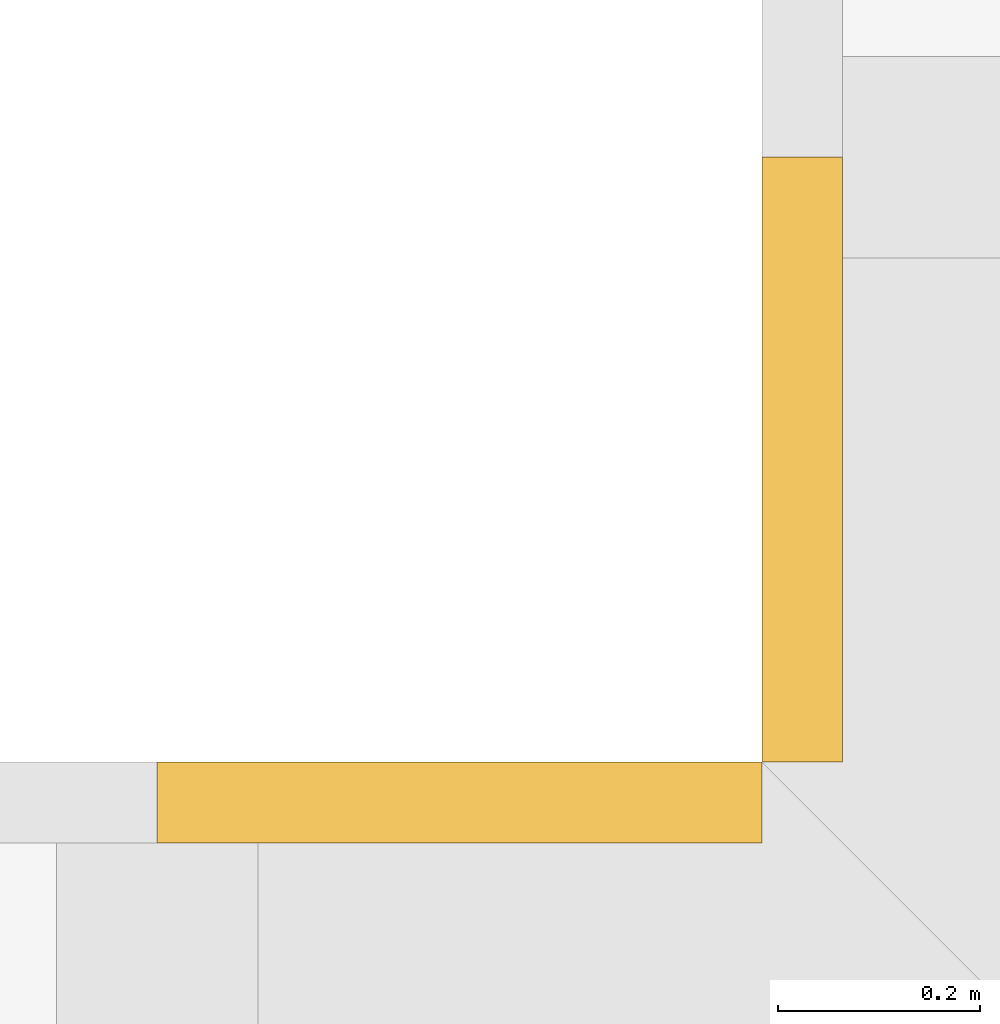
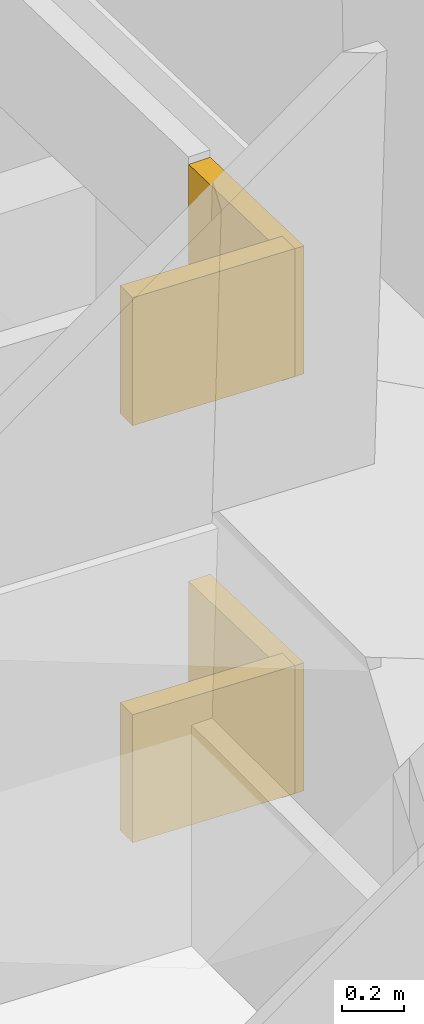
# One storey, part 32 of 33: 4 coverings.
"""IFC4 building model written with IfcOpenShell, lengths in metres."""

from ifc_helpers import new_model, si_unit, direction, frame, origin, place, context, subcontext, project, spatial, polyline, outline, extrude, material, layer, layer_set, type_object, element, save


model = new_model("IFC4")

# Units and contexts
model_context = context("Model", 3, precision=1e-05, world=origin(), true_north=direction((0.0, 1.0)))
body_context = subcontext(model_context, "Body", "Model", "MODEL_VIEW")
ifc_project = project(units=[si_unit("LENGTHUNIT", "METRE"), si_unit("AREAUNIT", "SQUARE_METRE"), si_unit("VOLUMEUNIT", "CUBIC_METRE"), si_unit("PLANEANGLEUNIT", "RADIAN"), si_unit("MASSUNIT", "GRAM", prefix="KILO")], contexts=[model_context])

# Site, building, storey
site_placement = place(None, origin())
site = spatial("IfcSite", under=ifc_project, at=site_placement, CompositionType="ELEMENT")
building_placement = place(site_placement, origin())
building = spatial("IfcBuilding", under=site, at=building_placement, Name="Saffron Gate Tower", CompositionType="ELEMENT")
storey_placement = place(building_placement, frame((0.0, 0.0, 263.550048828125)))
storey = spatial("IfcBuildingStorey", under=building, at=storey_placement, Name="L63", CompositionType="ELEMENT", Elevation=263.550048828125)

# Coverings
ifc_material = material(Name="Timber, thermally modified ash", Category="wood")
ifc_layer = layer(ifc_material, 0.080078125)
ifc_layer_set = layer_set([ifc_layer], Name="LD2 ledge planter trough")
covering_type = type_object("IfcCoveringType", Name="LD2 ledge planter trough", PredefinedType="CLADDING", material=ifc_layer_set)
covering_1_placement = place(storey_placement, frame((50.39990234375, 73.800048828125, 3.4765625), z_axis=(-1.0, 0.0, 0.0), x_axis=(0.0, -0.999583081391, 0.028873229772)))
element("IfcCovering", 1, at=covering_1_placement, inside=storey, type_object=covering_type, Name="LEDGE planter trough", PredefinedType="CLADDING", context=body_context, shape_type="SweptSolid", body=[
    extrude(outline(polyline([(0.0, 0.0), (0.6003479524834376, -3.469446951953614e-18), (0.6147845673692678, 0.4997915406953566), (0.014436614885830073, 0.4997915406953566), (0.0, 0.0)])), origin(), (0.0, 0.0, -1.0), 0.080078125),
])
covering_2_placement = place(storey_placement, frame((50.39990234375, 73.199951171875, 3.559814453125), z_axis=(0.0, 1.0, 0.0), x_axis=(-0.999582742162, 0.0, 0.028884971385)))
element("IfcCovering", 2, at=covering_2_placement, inside=storey, type_object=covering_type, Name="LEDGE planter trough", PredefinedType="CLADDING", context=body_context, shape_type="SweptSolid", body=[
    extrude(outline(polyline([(0.0, 0.0), (0.6001039136866089, 0.0), (0.614546399379222, 0.4997913710809928), (0.014442485692613144, 0.49979137108099286), (0.0, 0.0)])), origin(), (0.0, 0.0, -1.0), 0.080078125),
])
covering_3_placement = place(storey_placement, frame((50.39990234375, 73.800048828125, 1.84765625), z_axis=(-1.0, 0.0, 0.0), x_axis=(0.0, -0.999583081391, 0.028873229772)))
element("IfcCovering", 3, at=covering_3_placement, inside=storey, type_object=covering_type, Name="LEDGE planter trough", PredefinedType="CLADDING", context=body_context, shape_type="SweptSolid", body=[
    extrude(outline(polyline([(0.0, 0.0), (0.6003479524834376, -3.469446951953614e-18), (0.6147845673692678, 0.4997915406953566), (0.014436614885830073, 0.4997915406953566), (0.0, 0.0)])), origin(), (0.0, 0.0, -1.0), 0.080078125),
])
covering_4_placement = place(storey_placement, frame((50.39990234375, 73.199951171875, 1.9306640625), z_axis=(0.0, 1.0, 0.0), x_axis=(-0.999582742162, 0.0, 0.028884971385)))
element("IfcCovering", 4, at=covering_4_placement, inside=storey, type_object=covering_type, Name="LEDGE planter trough", PredefinedType="CLADDING", context=body_context, shape_type="SweptSolid", body=[
    extrude(outline(polyline([(0.0, 0.0), (0.6001039136866089, 0.0), (0.614546399379222, 0.4997913710809928), (0.014442485692613144, 0.49979137108099286), (0.0, 0.0)])), origin(), (0.0, 0.0, -1.0), 0.080078125),
])

save(model, "model.ifc")
